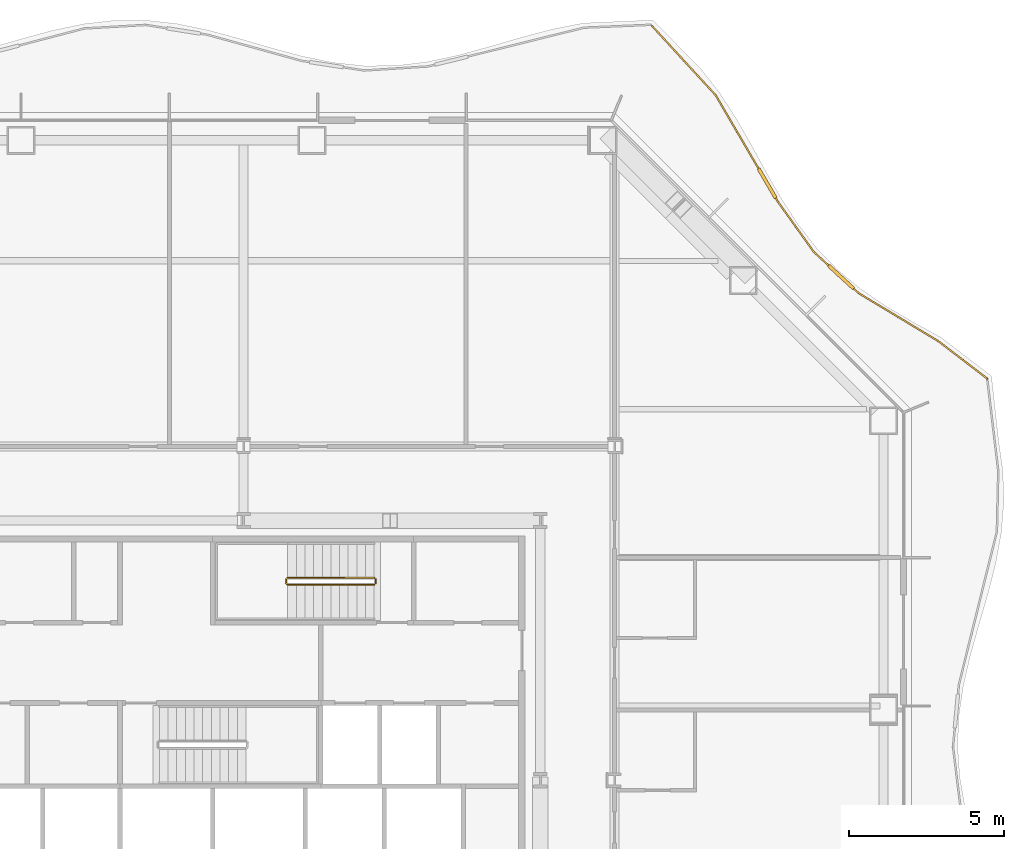
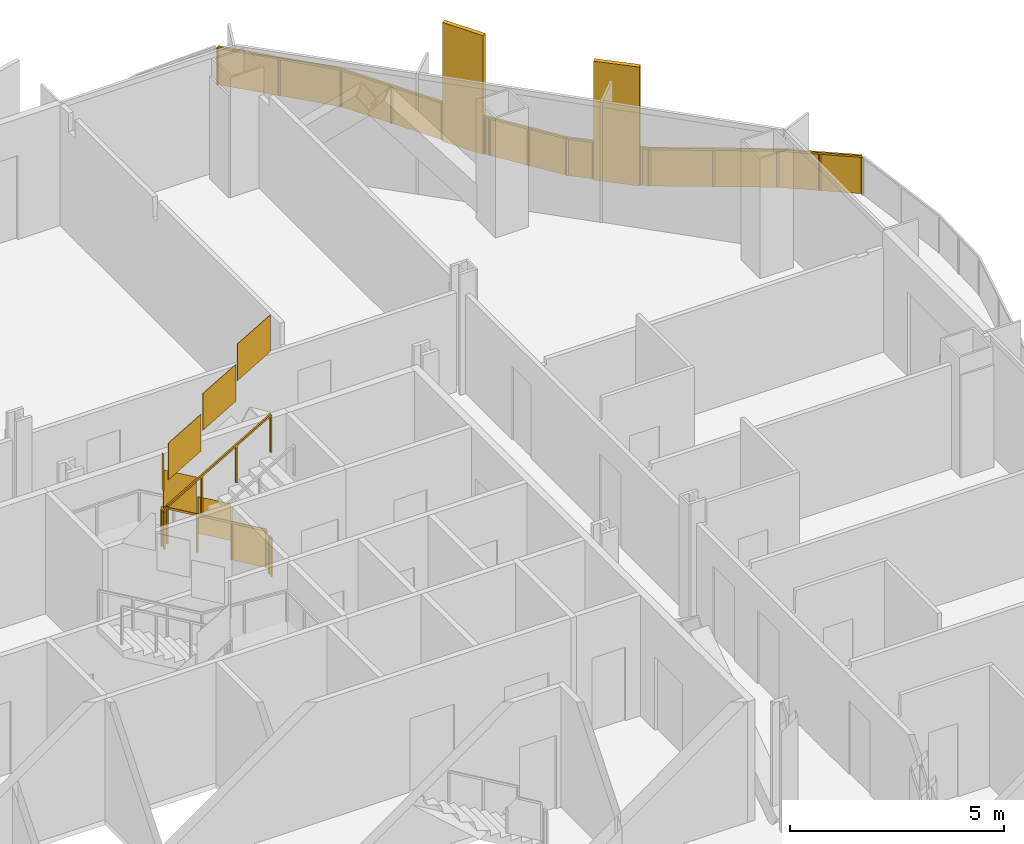
# One storey, part 20 of 20: 3 railings.
"""IFC4 building model written with IfcOpenShell, lengths in metres."""

from ifc_helpers import new_model, si_unit, direction, frame, origin, origin_2d, place, context, subcontext, project, spatial, polyline, rectangle, outline, extrude, material, type_object, element, save


model = new_model("IFC4")

# Units and contexts
model_context = context("Model", 3, precision=1e-05, world=origin(), true_north=direction((0.0, 1.0)))
body_context = subcontext(model_context, "Body", "Model", "MODEL_VIEW")
ifc_project = project(units=[si_unit("LENGTHUNIT", "METRE"), si_unit("AREAUNIT", "SQUARE_METRE"), si_unit("VOLUMEUNIT", "CUBIC_METRE"), si_unit("PLANEANGLEUNIT", "RADIAN"), si_unit("MASSUNIT", "GRAM", prefix="KILO")], contexts=[model_context])

# Site, building, storey
site_placement = place(None, origin())
site = spatial("IfcSite", under=ifc_project, at=site_placement, CompositionType="ELEMENT")
building_placement = place(site_placement, origin())
building = spatial("IfcBuilding", under=site, at=building_placement, Name="Cairn Pilgrim Tower", CompositionType="ELEMENT")
storey_placement = place(building_placement, frame((0.0, 0.0, 83.39990234375)))
storey = spatial("IfcBuildingStorey", under=building, at=storey_placement, Name="L19", CompositionType="ELEMENT", Elevation=83.39990234375)

# Railings
ifc_material_1 = material(Name="Bronze anodised aluminium rail, posts and fin screens with laminated glass infill", Category="aluminium")
railing_type_1 = type_object("IfcRailingType", Name="BALCONY GUARD WITH FIN SCREENS", PredefinedType="GUARDRAIL", material=ifc_material_1)
railing_1_placement = place(storey_placement, frame((31.25537109375, 15.394775390625, 0.0)))
element("IfcRailing", 1, at=railing_1_placement, inside=storey, type_object=railing_type_1, Name="Balcony guard BGF-4 with fin screens", PredefinedType="GUARDRAIL", context=body_context, shape_type="SweptSolid", body=[
    extrude(rectangle(XDim=0.050048828125, YDim=0.050048828125, at=origin_2d()), frame((0.0, 0.0, 1.0751953125), z_axis=(-0.794152517462, 0.607718503099, 0.0), x_axis=(-0.607718503099, -0.794152517462, 0.0)), (0.0, 0.0, 1.0), 1.99169921875),
    extrude(rectangle(XDim=0.050048828125, YDim=0.050048828125, at=origin_2d()), frame((-1.581787109375, 1.21044921875, 1.0751953125), z_axis=(-0.856696055967, 0.515821546361, 0.0), x_axis=(-0.515821546361, -0.856696055967, 0.0)), (0.0, 0.0, 1.0), 3.004638671875),
    extrude(rectangle(XDim=1.10009765625, YDim=0.110107421875, at=origin_2d()), frame((-4.72509765625, 3.28369140625, 0.0), z_axis=(0.0, 0.0, 1.0), x_axis=(-0.736197465782, 0.67676679246, 0.0)), (0.0, 0.0, 1.0), 3.39990234375),
    extrude(rectangle(XDim=0.050048828125, YDim=0.050048828125, at=origin_2d()), frame((-4.15576171875, 2.76025390625, 1.0751953125), z_axis=(-0.736197465782, 0.67676679246, 0.0), x_axis=(-0.67676679246, -0.736197465782, 0.0)), (0.0, 0.0, 1.0), 0.223388671875),
    extrude(rectangle(XDim=0.050048828125, YDim=0.050048828125, at=origin_2d()), frame((-5.130126953125, 3.65576171875, 1.0751953125), z_axis=(-0.736197465782, 0.67676679246, 0.0), x_axis=(-0.67676679246, -0.736197465782, 0.0)), (0.0, 0.0, 1.0), 0.6484375),
    extrude(rectangle(XDim=0.050048828125, YDim=0.050048828125, at=origin_2d()), frame((-5.607421875, 4.0947265625, 1.0751953125), z_axis=(-0.581992895011, 0.81319386997, 0.0), x_axis=(-0.81319386997, -0.581992895011, 0.0)), (0.0, 0.0, 1.0), 1.98828125),
    extrude(rectangle(XDim=1.10009765625, YDim=0.110107421875, at=origin_2d()), frame((-7.117919921875, 6.31591796875, 0.0), z_axis=(0.0, 0.0, 1.0), x_axis=(-0.504644811565, 0.863327060945, 0.0)), (0.0, 0.0, 1.0), 3.39990234375),
    extrude(rectangle(XDim=0.050048828125, YDim=0.050048828125, at=origin_2d()), frame((-6.7646484375, 5.711669921875, 1.0751953125), z_axis=(-0.504644811565, 0.863327060945, 0.0), x_axis=(-0.863327060945, -0.504644811565, 0.0)), (0.0, 0.0, 1.0), 0.14990234375),
    extrude(rectangle(XDim=0.050048828125, YDim=0.050048828125, at=origin_2d()), frame((-7.395263671875, 6.790771484375, 1.0751953125), z_axis=(-0.504644811565, 0.863327060945, 0.0), x_axis=(-0.863327060945, -0.504644811565, 0.0)), (0.0, 0.0, 1.0), 2.7509765625),
    extrude(rectangle(XDim=0.050048828125, YDim=0.050048828125, at=origin_2d()), frame((-8.78369140625, 9.165771484375, 1.0751953125), z_axis=(-0.676769035408, 0.736195403893, 0.0), x_axis=(-0.736195403893, -0.676769035408, 0.0)), (0.0, 0.0, 1.0), 3.0361328125),
    extrude(rectangle(XDim=0.050048828125, YDim=0.050048828125, at=origin_2d()), origin(), (0.0, 0.0, 1.0), 1.050048828125),
    extrude(rectangle(XDim=0.050048828125, YDim=0.050048828125, at=origin_2d()), frame((-0.791015625, 0.605224609375, 0.0)), (0.0, 0.0, 1.0), 1.050048828125),
    extrude(rectangle(XDim=0.050048828125, YDim=0.050048828125, at=origin_2d()), frame((-1.581787109375, 1.21044921875, 0.0)), (0.0, 0.0, 1.0), 1.050048828125),
    extrude(rectangle(XDim=0.050048828125, YDim=0.050048828125, at=origin_2d()), frame((-2.86865234375, 1.9853515625, 0.0)), (0.0, 0.0, 1.0), 1.050048828125),
    extrude(rectangle(XDim=0.050048828125, YDim=0.050048828125, at=origin_2d()), frame((-4.15576171875, 2.76025390625, 0.0)), (0.0, 0.0, 1.0), 1.050048828125),
    extrude(rectangle(XDim=0.050048828125, YDim=0.050048828125, at=origin_2d()), frame((-4.3017578125, 2.89453125, 0.0)), (0.0, 0.0, 1.0), 1.050048828125),
    extrude(rectangle(XDim=0.050048828125, YDim=0.050048828125, at=origin_2d()), frame((-5.1484375, 3.6728515625, 0.0)), (0.0, 0.0, 1.0), 1.050048828125),
    extrude(rectangle(XDim=0.050048828125, YDim=0.050048828125, at=origin_2d()), frame((-5.607421875, 4.0947265625, 0.0)), (0.0, 0.0, 1.0), 1.050048828125),
    extrude(rectangle(XDim=0.050048828125, YDim=0.050048828125, at=origin_2d()), frame((-6.18603515625, 4.9033203125, 0.0)), (0.0, 0.0, 1.0), 1.050048828125),
    extrude(rectangle(XDim=0.050048828125, YDim=0.050048828125, at=origin_2d()), frame((-6.7646484375, 5.711669921875, 0.0)), (0.0, 0.0, 1.0), 1.050048828125),
    extrude(rectangle(XDim=0.050048828125, YDim=0.050048828125, at=origin_2d()), frame((-6.82763671875, 5.8193359375, 0.0)), (0.0, 0.0, 1.0), 1.050048828125),
    extrude(rectangle(XDim=0.050048828125, YDim=0.050048828125, at=origin_2d()), frame((-7.407958984375, 6.812255859375, 0.0)), (0.0, 0.0, 1.0), 1.050048828125),
    extrude(rectangle(XDim=0.050048828125, YDim=0.050048828125, at=origin_2d()), frame((-8.095947265625, 7.989013671875, 0.0)), (0.0, 0.0, 1.0), 1.050048828125),
    extrude(rectangle(XDim=0.050048828125, YDim=0.050048828125, at=origin_2d()), frame((-8.78369140625, 9.165771484375, 0.0)), (0.0, 0.0, 1.0), 1.050048828125),
    extrude(rectangle(XDim=0.050048828125, YDim=0.050048828125, at=origin_2d()), frame((-9.81103515625, 10.283203125, 0.0)), (0.0, 0.0, 1.0), 1.050048828125),
    extrude(rectangle(XDim=0.050048828125, YDim=0.050048828125, at=origin_2d()), frame((-10.83837890625, 11.40087890625, 0.0)), (0.0, 0.0, 1.0), 1.050048828125),
    extrude(outline(polyline([(0.02490234375, 0.0), (0.970947265625, 0.0), (0.970947265625, 1.050048828125), (0.02490234375, 1.050048828125), (0.02490234375, 0.0)])), frame((-0.003662109375, -0.004638671875, 0.0), z_axis=(0.607718503099, 0.794152517462, 0.0), x_axis=(-0.794152517462, 0.607718503099, 0.0)), (0.0, 0.0, 1.0), 0.011962890625),
    extrude(outline(polyline([(0.02490234375, 0.0), (0.970947265625, 0.0), (0.970947265625, 1.050048828125), (0.02490234375, 1.050048828125), (0.02490234375, 0.0)])), frame((-0.79443359375, 0.6005859375, 0.0), z_axis=(0.607718503099, 0.794152517462, 0.0), x_axis=(-0.794152517462, 0.607718503099, 0.0)), (0.0, 0.0, 1.0), 0.011962890625),
    extrude(outline(polyline([(0.02490234375, 0.0), (1.477294921875, 0.0), (1.477294921875, 1.050048828125), (0.02490234375, 1.050048828125), (0.02490234375, 0.0)])), frame((-1.5849609375, 1.205322265625, 0.0), z_axis=(0.515821546361, 0.856696055967, 0.0), x_axis=(-0.856696055967, 0.515821546361, 0.0)), (0.0, 0.0, 1.0), 0.011962890625),
    extrude(outline(polyline([(0.02490234375, 0.0), (1.477294921875, 0.0), (1.477294921875, 1.050048828125), (0.02490234375, 1.050048828125), (0.02490234375, 0.0)])), frame((-2.871826171875, 1.980224609375, 0.0), z_axis=(0.515821546361, 0.856696055967, 0.0), x_axis=(-0.856696055967, 0.515821546361, 0.0)), (0.0, 0.0, 1.0), 0.011962890625),
    extrude(outline(polyline([(0.02490234375, 0.0), (0.17333984375, 0.0), (0.17333984375, 1.050048828125), (0.02490234375, 1.050048828125), (0.02490234375, 0.0)])), frame((-4.159912109375, 2.755859375, 0.0), z_axis=(0.67676679246, 0.736197465782, 0.0), x_axis=(-0.736197465782, 0.67676679246, 0.0)), (0.0, 0.0, 1.0), 0.011962890625),
    extrude(outline(polyline([(0.02490234375, 0.0), (0.598388671875, 0.0), (0.598388671875, 1.050048828125), (0.02490234375, 1.050048828125), (0.02490234375, 0.0)])), frame((-5.152587890625, 3.66845703125, 0.0), z_axis=(0.67676679246, 0.736197465782, 0.0), x_axis=(-0.736197465782, 0.67676679246, 0.0)), (0.0, 0.0, 1.0), 0.011962890625),
    extrude(outline(polyline([(0.02490234375, 0.0), (0.96923828125, 0.0), (0.96923828125, 1.050048828125), (0.02490234375, 1.050048828125), (0.02490234375, 0.0)])), frame((-5.6123046875, 4.09130859375, 0.0), z_axis=(0.81319386997, 0.581992895011, 0.0), x_axis=(-0.581992895011, 0.81319386997, 0.0)), (0.0, 0.0, 1.0), 0.011962890625),
    extrude(outline(polyline([(0.02490234375, 0.0), (0.96923828125, 0.0), (0.96923828125, 1.050048828125), (0.02490234375, 1.050048828125), (0.02490234375, 0.0)])), frame((-6.19091796875, 4.899658203125, 0.0), z_axis=(0.81319386997, 0.581992895011, 0.0), x_axis=(-0.581992895011, 0.81319386997, 0.0)), (0.0, 0.0, 1.0), 0.011962890625),
    extrude(outline(polyline([(0.02490234375, 0.0), (0.099853515625, 0.0), (0.099853515625, 1.050048828125), (0.02490234375, 1.050048828125), (0.02490234375, 0.0)])), frame((-6.769775390625, 5.708740234375, 0.0), z_axis=(0.863327060945, 0.504644811565, 0.0), x_axis=(-0.504644811565, 0.863327060945, 0.0)), (0.0, 0.0, 1.0), 0.011962890625),
    extrude(outline(polyline([(0.02490234375, 0.0), (1.337890625, 0.0), (1.337890625, 1.050048828125), (0.02490234375, 1.050048828125), (0.02490234375, 0.0)])), frame((-7.4130859375, 6.809326171875, 0.0), z_axis=(0.863327060945, 0.504644811565, 0.0), x_axis=(-0.504644811565, 0.863327060945, 0.0)), (0.0, 0.0, 1.0), 0.011962890625),
    extrude(outline(polyline([(0.02490234375, 0.0), (1.337890625, 0.0), (1.337890625, 1.050048828125), (0.02490234375, 1.050048828125), (0.02490234375, 0.0)])), frame((-8.10107421875, 7.986083984375, 0.0), z_axis=(0.863327060945, 0.504644811565, 0.0), x_axis=(-0.504644811565, 0.863327060945, 0.0)), (0.0, 0.0, 1.0), 0.011962890625),
    extrude(outline(polyline([(0.02490234375, 0.0), (1.492919921875, 0.0), (1.492919921875, 1.050048828125), (0.02490234375, 1.050048828125), (0.02490234375, 0.0)])), frame((-8.7880859375, 9.16162109375, 0.0), z_axis=(0.736195403893, 0.676769035408, 0.0), x_axis=(-0.676769035408, 0.736195403893, 0.0)), (0.0, 0.0, 1.0), 0.011962890625),
    extrude(outline(polyline([(0.02490234375, 0.0), (1.492919921875, 0.0), (1.492919921875, 1.050048828125), (0.02490234375, 1.050048828125), (0.02490234375, 0.0)])), frame((-9.8154296875, 10.279296875, 0.0), z_axis=(0.736195403893, 0.676769035408, 0.0), x_axis=(-0.676769035408, 0.736195403893, 0.0)), (0.0, 0.0, 1.0), 0.011962890625),
])
ifc_material_2 = material(Name="Painted steel", Category="steel")
railing_type_2 = type_object("IfcRailingType", Name="STAIR GUARD 1100", PredefinedType="GUARDRAIL", material=ifc_material_2)
railing_2_placement = place(storey_placement, frame((11.425048828125, 8.949951171875, 0.163818359375)))
element("IfcRailing", 2, at=railing_2_placement, inside=storey, type_object=railing_type_2, Name="L19 ST-C stair guard 1", PredefinedType="GUARDRAIL", context=body_context, shape_type="SweptSolid", body=[
    extrude(rectangle(XDim=0.048095703125, YDim=0.048095703125, at=origin_2d()), frame((0.0, 0.0, 1.076171875), z_axis=(-0.863393664356, 0.0, 0.504530851732), x_axis=(0.0, -1.0, 0.0)), (0.0, 0.0, 1.0), 3.2431640625),
    extrude(rectangle(XDim=0.048095703125, YDim=0.048095703125, at=origin_2d()), frame((-2.800048828125, 0.0, 2.71240234375), z_axis=(-0.707106781187, -0.707106781187, 0.0), x_axis=(0.707106781187, -0.707106781187, 0.0)), (0.0, 0.0, 1.0), 0.07080078125),
    extrude(rectangle(XDim=0.048095703125, YDim=0.048095703125, at=origin_2d()), frame((-2.85009765625, -0.050048828125, 2.71240234375), z_axis=(0.0, -1.0, 0.0), x_axis=(1.0, 0.0, 0.0)), (0.0, 0.0, 1.0), 0.125),
    extrude(rectangle(XDim=0.048095703125, YDim=0.048095703125, at=origin_2d()), frame((-2.85009765625, -0.175048828125, 2.71240234375), z_axis=(0.280916556609, -0.279546231943, 0.91811752648), x_axis=(0.705375805398, 0.708833529934, 0.0)), (0.0, 0.0, 1.0), 0.17822265625),
    extrude(rectangle(XDim=0.048095703125, YDim=0.048095703125, at=origin_2d()), frame((-2.800048828125, -0.224853515625, 2.8759765625), z_axis=(0.863360870873, 0.0, 0.504586966384), x_axis=(0.0, 1.0, 0.0)), (0.0, 0.0, 1.0), 3.2431640625),
    extrude(rectangle(XDim=0.0419921875, YDim=0.0419921875, at=origin_2d()), origin(), (0.0, 0.0, 1.0), 1.052001953125),
    extrude(rectangle(XDim=0.0419921875, YDim=0.0419921875, at=origin_2d()), frame((-0.933349609375, 0.0, 0.54541015625)), (0.0, 0.0, 1.0), 1.052001953125),
    extrude(rectangle(XDim=0.0419921875, YDim=0.0419921875, at=origin_2d()), frame((-1.86669921875, 0.0, 1.0908203125)), (0.0, 0.0, 1.0), 1.052001953125),
    extrude(rectangle(XDim=0.0419921875, YDim=0.0419921875, at=origin_2d()), frame((-2.800048828125, 0.0, 1.63623046875)), (0.0, 0.0, 1.0), 1.052001953125),
    extrude(rectangle(XDim=0.0419921875, YDim=0.0419921875, at=origin_2d()), frame((-2.85009765625, -0.050048828125, 1.63623046875)), (0.0, 0.0, 1.0), 1.052001953125),
    extrude(rectangle(XDim=0.0419921875, YDim=0.0419921875, at=origin_2d()), frame((-2.85009765625, -0.175048828125, 1.63623046875)), (0.0, 0.0, 1.0), 1.052001953125),
    extrude(rectangle(XDim=0.0419921875, YDim=0.0419921875, at=origin_2d()), frame((-2.800048828125, -0.224853515625, 1.7998046875)), (0.0, 0.0, 1.0), 1.052001953125),
    extrude(rectangle(XDim=0.0419921875, YDim=0.0419921875, at=origin_2d()), frame((-1.86669921875, -0.224853515625, 2.34521484375)), (0.0, 0.0, 1.0), 1.052001953125),
    extrude(rectangle(XDim=0.0419921875, YDim=0.0419921875, at=origin_2d()), frame((-0.933349609375, -0.224853515625, 2.890869140625)), (0.0, 0.0, 1.0), 1.052001953125),
    extrude(rectangle(XDim=0.0419921875, YDim=0.0419921875, at=origin_2d()), frame((0.0, -0.224853515625, 3.436279296875)), (0.0, 0.0, 1.0), 1.052001953125),
    extrude(outline(polyline([(0.02099609375, 0.01220703125), (0.912353515625, 0.533203125), (0.912353515625, 1.585205078125), (0.02099609375, 1.064208984375), (0.02099609375, 0.01220703125)])), frame((0.0, -0.005859375, 0.0), z_axis=(0.0, 1.0, 0.0), x_axis=(-1.0, 0.0, 0.0)), (0.0, 0.0, 1.0), 0.011962890625),
    extrude(outline(polyline([(0.02099609375, 0.5576171875), (0.912353515625, 1.07861328125), (0.912353515625, 2.130615234375), (0.02099609375, 1.609619140625), (0.02099609375, 0.5576171875)])), frame((-0.933349609375, -0.005859375, 0.54541015625), z_axis=(0.0, 1.0, 0.0), x_axis=(-1.0, 0.0, 0.0)), (0.0, 0.0, 1.0), 0.011962890625),
    extrude(outline(polyline([(0.02099609375, 1.10302734375), (0.912353515625, 1.6240234375), (0.912353515625, 2.676025390625), (0.02099609375, 2.155029296875), (0.02099609375, 1.10302734375)])), frame((-1.86669921875, -0.005859375, 1.0908203125), z_axis=(0.0, 1.0, 0.0), x_axis=(-1.0, 0.0, 0.0)), (0.0, 0.0, 1.0), 0.011962890625),
    extrude(outline(polyline([(0.02099609375, 1.63623046875), (0.10400390625, 1.63623046875), (0.10400390625, 2.688232421875), (0.02099609375, 2.688232421875), (0.02099609375, 1.63623046875)])), frame((-2.84423828125, -0.050048828125, 1.63623046875), z_axis=(-1.0, 0.0, 0.0), x_axis=(0.0, -1.0, 0.0)), (0.0, 0.0, 1.0), 0.011962890625),
    extrude(outline(polyline([(0.02099609375, 1.81201171875), (0.912353515625, 2.3330078125), (0.912353515625, 3.385009765625), (0.02099609375, 2.864013671875), (0.02099609375, 1.81201171875)])), frame((-2.800048828125, -0.21875, 1.7998046875), z_axis=(0.0, -1.0, 0.0), x_axis=(1.0, 0.0, 0.0)), (0.0, 0.0, 1.0), 0.011962890625),
    extrude(outline(polyline([(0.02099609375, 2.357666015625), (0.912353515625, 2.87841796875), (0.912353515625, 3.930419921875), (0.02099609375, 3.40966796875), (0.02099609375, 2.357666015625)])), frame((-1.86669921875, -0.21875, 2.34521484375), z_axis=(0.0, -1.0, 0.0), x_axis=(1.0, 0.0, 0.0)), (0.0, 0.0, 1.0), 0.011962890625),
    extrude(outline(polyline([(0.02099609375, 2.903076171875), (0.912353515625, 3.424072265625), (0.912353515625, 4.47607421875), (0.02099609375, 3.955078125), (0.02099609375, 2.903076171875)])), frame((-0.933349609375, -0.21875, 2.890869140625), z_axis=(0.0, -1.0, 0.0), x_axis=(1.0, 0.0, 0.0)), (0.0, 0.0, 1.0), 0.011962890625),
])
railing_3_placement = place(storey_placement, frame((11.47509765625, 8.89990234375, 0.0)))
element("IfcRailing", 3, at=railing_3_placement, inside=storey, type_object=railing_type_2, Name="L19 ST-C stair guard 2", PredefinedType="GUARDRAIL", context=body_context, shape_type="SweptSolid", body=[
    extrude(rectangle(XDim=0.048095703125, YDim=0.048095703125, at=origin_2d()), frame((0.0, 0.0, 1.076171875), z_axis=(0.0, -1.0, 0.0), x_axis=(1.0, 0.0, 0.0)), (0.0, 0.0, 1.0), 0.125),
    extrude(rectangle(XDim=0.0419921875, YDim=0.0419921875, at=origin_2d()), origin(), (0.0, 0.0, 1.0), 1.052001953125),
    extrude(rectangle(XDim=0.0419921875, YDim=0.0419921875, at=origin_2d()), frame((0.0, -0.125, 0.0)), (0.0, 0.0, 1.0), 1.052001953125),
    extrude(outline(polyline([(0.02099609375, 0.0), (0.10400390625, 0.0), (0.10400390625, 1.052001953125), (0.02099609375, 1.052001953125), (0.02099609375, 0.0)])), frame((0.005859375, 0.0, 0.0), z_axis=(-1.0, 0.0, 0.0), x_axis=(0.0, -1.0, 0.0)), (0.0, 0.0, 1.0), 0.011962890625),
])

save(model, "model.ifc")
